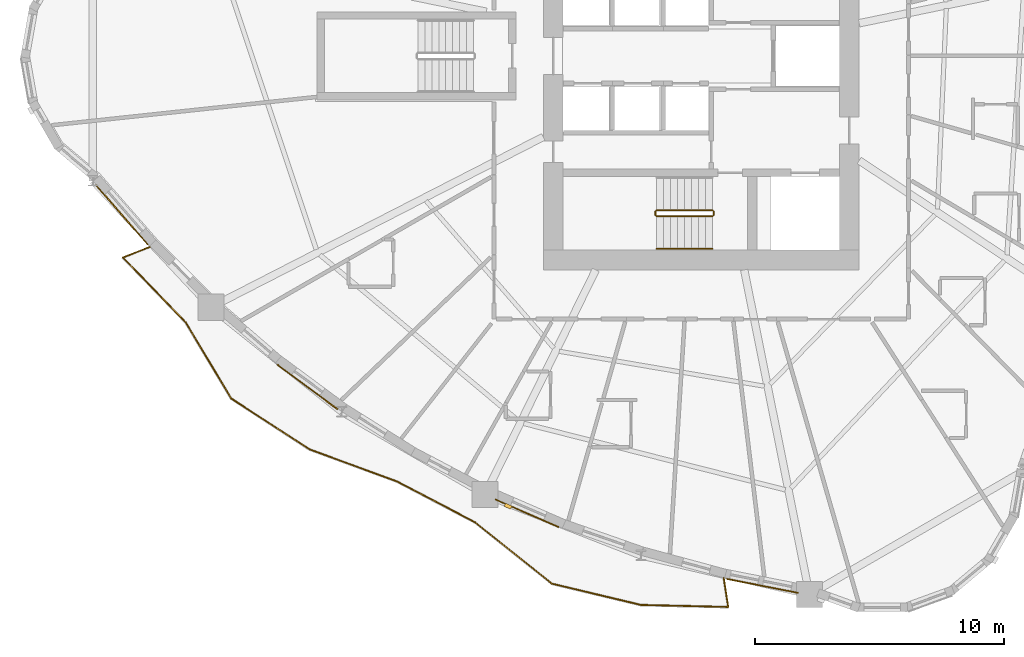
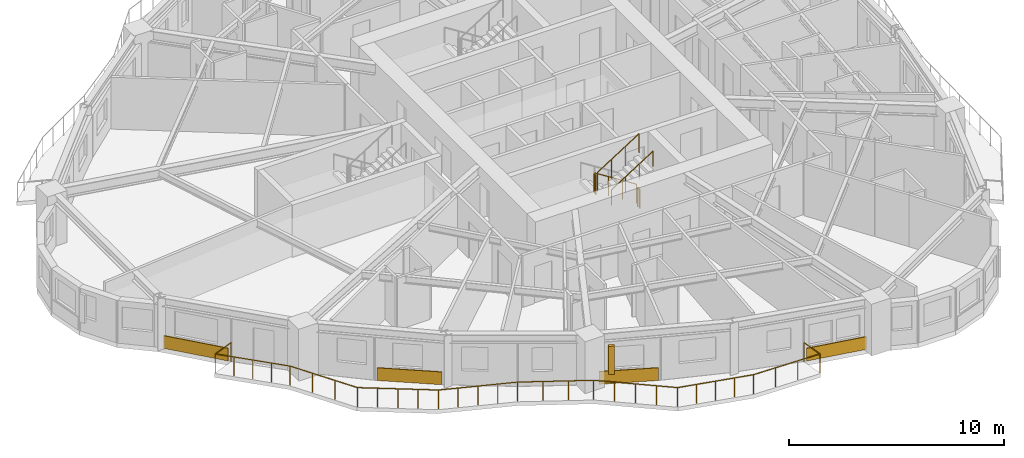
# One storey, part 11 of 14: 6 railings, 4 coverings, 1 shading device.
"""IFC4 building model written with IfcOpenShell, lengths in metres."""

from ifc_helpers import new_model, si_unit, direction, frame, origin, origin_2d, place, context, subcontext, project, spatial, rectangle, circle, extrude, source, transform, mapped, material, layer, layer_set, type_object, element, save


model = new_model("IFC4")

# Units and contexts
model_context = context("Model", 3, precision=1e-05, world=origin(), true_north=direction((0.0, 1.0)))
body_context = subcontext(model_context, "Body", "Model", "MODEL_VIEW")
ifc_project = project(units=[si_unit("LENGTHUNIT", "METRE"), si_unit("AREAUNIT", "SQUARE_METRE"), si_unit("VOLUMEUNIT", "CUBIC_METRE"), si_unit("PLANEANGLEUNIT", "RADIAN"), si_unit("MASSUNIT", "GRAM", prefix="KILO")], contexts=[model_context])

# Site, building, storey
site_placement = place(None, origin())
site = spatial("IfcSite", under=ifc_project, at=site_placement, CompositionType="ELEMENT")
building_placement = place(site_placement, origin())
building = spatial("IfcBuilding", under=site, at=building_placement, Name="Qafzar Sky-Pleat Residences", CompositionType="ELEMENT")
storey_placement = place(building_placement, frame((0.0, 0.0, 14.199951171875)))
storey = spatial("IfcBuildingStorey", under=building, at=storey_placement, Name="L03", CompositionType="ELEMENT", Elevation=14.199951171875)

# Railing
ifc_material_1 = material(Name="Laminated glass and bronze steel balustrade", Category="steel")
railing_type_1 = type_object("IfcRailingType", Name="RAIL-BAL-1100", PredefinedType="BALUSTRADE", material=ifc_material_1)
shared_shape_1 = source(origin(), body_context, "Body", "SweptSolid", [
    extrude(circle(Radius=0.02392578125, at=origin_2d()), frame((0.0, 0.0, 1.076171875), z_axis=(-0.932396945822, -0.361435935433, 0.0), x_axis=(0.361435935433, -0.932396945822, 0.0)), (0.0, 0.0, 1.0), 1.177978515625),
    extrude(circle(Radius=0.02392578125, at=origin_2d()), frame((-1.098388671875, -0.42578125, 1.076171875), z_axis=(0.696193259118, -0.717854404429, 0.0), x_axis=(0.717854404429, 0.696193259118, 0.0)), (0.0, 0.0, 1.0), 3.617919921875),
    extrude(circle(Radius=0.02392578125, at=origin_2d()), frame((1.42041015625, -3.02294921875, 1.076171875), z_axis=(0.513402147312, -0.858148142884, 0.0), x_axis=(0.858148142884, 0.513402147312, 0.0)), (0.0, 0.0, 1.0), 3.579833984375),
    extrude(circle(Radius=0.02392578125, at=origin_2d()), frame((3.25830078125, -6.094970703125, 1.076171875), z_axis=(0.838915696155, -0.54426138458, 0.0), x_axis=(0.54426138458, 0.838915696155, 0.0)), (0.0, 0.0, 1.0), 3.7666015625),
    extrude(circle(Radius=0.02392578125, at=origin_2d()), frame((6.418212890625, -8.14501953125, 1.076171875), z_axis=(0.939112047286, -0.343611063038, 0.0), x_axis=(0.343611063038, 0.939112047286, 0.0)), (0.0, 0.0, 1.0), 3.734375),
    extrude(circle(Radius=0.02392578125, at=origin_2d()), frame((9.92529296875, -9.42822265625, 1.076171875), z_axis=(0.885811284561, -0.464045653082, 0.0), x_axis=(0.464045653082, 0.885811284561, 0.0)), (0.0, 0.0, 1.0), 3.539794921875),
    extrude(circle(Radius=0.02392578125, at=origin_2d()), frame((13.060791015625, -11.07080078125, 1.076171875), z_axis=(0.781266830032, -0.624197196639, 0.0), x_axis=(0.624197196639, 0.781266830032, 0.0)), (0.0, 0.0, 1.0), 3.947998046875),
    extrude(circle(Radius=0.02392578125, at=origin_2d()), frame((16.145263671875, -13.53515625, 1.076171875), z_axis=(0.972537745746, -0.232745210689, 0.0), x_axis=(0.232745210689, 0.972537745746, 0.0)), (0.0, 0.0, 1.0), 3.677734375),
    extrude(circle(Radius=0.02392578125, at=origin_2d()), frame((19.721923828125, -14.39111328125, 1.076171875), z_axis=(0.999723990131, -0.023493479014, 0.0), x_axis=(0.023493479014, 0.999723990131, 0.0)), (0.0, 0.0, 1.0), 3.512451171875),
    extrude(circle(Radius=0.02392578125, at=origin_2d()), frame((23.2333984375, -14.4736328125, 1.076171875), z_axis=(-0.153162858633, 0.988200960704, 0.0), x_axis=(-0.988200960704, -0.153162858633, 0.0)), (0.0, 0.0, 1.0), 1.177978515625),
    extrude(circle(Radius=0.02099609375, at=origin_2d()), origin(), (0.0, 0.0, 1.0), 1.052001953125),
    extrude(circle(Radius=0.02099609375, at=origin_2d()), frame((-1.098388671875, -0.42578125, 0.0)), (0.0, 0.0, 1.0), 1.052001953125),
    extrude(circle(Radius=0.02099609375, at=origin_2d()), frame((-0.46875, -1.0751953125, 0.0)), (0.0, 0.0, 1.0), 1.052001953125),
    extrude(circle(Radius=0.02099609375, at=origin_2d()), frame((0.1611328125, -1.724365234375, 0.0)), (0.0, 0.0, 1.0), 1.052001953125),
    extrude(circle(Radius=0.02099609375, at=origin_2d()), frame((0.790771484375, -2.37353515625, 0.0)), (0.0, 0.0, 1.0), 1.052001953125),
    extrude(circle(Radius=0.02099609375, at=origin_2d()), frame((1.42041015625, -3.02294921875, 0.0)), (0.0, 0.0, 1.0), 1.052001953125),
    extrude(circle(Radius=0.02099609375, at=origin_2d()), frame((2.032958984375, -4.046875, 0.0)), (0.0, 0.0, 1.0), 1.052001953125),
    extrude(circle(Radius=0.02099609375, at=origin_2d()), frame((2.645751953125, -5.071044921875, 0.0)), (0.0, 0.0, 1.0), 1.052001953125),
    extrude(circle(Radius=0.02099609375, at=origin_2d()), frame((3.25830078125, -6.094970703125, 0.0)), (0.0, 0.0, 1.0), 1.052001953125),
    extrude(circle(Radius=0.02099609375, at=origin_2d()), frame((4.04833984375, -6.607421875, 0.0)), (0.0, 0.0, 1.0), 1.052001953125),
    extrude(circle(Radius=0.02099609375, at=origin_2d()), frame((4.83837890625, -7.1201171875, 0.0)), (0.0, 0.0, 1.0), 1.052001953125),
    extrude(circle(Radius=0.02099609375, at=origin_2d()), frame((5.628173828125, -7.632568359375, 0.0)), (0.0, 0.0, 1.0), 1.052001953125),
    extrude(circle(Radius=0.02099609375, at=origin_2d()), frame((6.418212890625, -8.14501953125, 0.0)), (0.0, 0.0, 1.0), 1.052001953125),
    extrude(circle(Radius=0.02099609375, at=origin_2d()), frame((7.294921875, -8.4658203125, 0.0)), (0.0, 0.0, 1.0), 1.052001953125),
    extrude(circle(Radius=0.02099609375, at=origin_2d()), frame((8.171875, -8.78662109375, 0.0)), (0.0, 0.0, 1.0), 1.052001953125),
    extrude(circle(Radius=0.02099609375, at=origin_2d()), frame((9.048583984375, -9.107421875, 0.0)), (0.0, 0.0, 1.0), 1.052001953125),
    extrude(circle(Radius=0.02099609375, at=origin_2d()), frame((9.92529296875, -9.42822265625, 0.0)), (0.0, 0.0, 1.0), 1.052001953125),
    extrude(circle(Radius=0.02099609375, at=origin_2d()), frame((10.970458984375, -9.975830078125, 0.0)), (0.0, 0.0, 1.0), 1.052001953125),
    extrude(circle(Radius=0.02099609375, at=origin_2d()), frame((12.015625, -10.523193359375, 0.0)), (0.0, 0.0, 1.0), 1.052001953125),
    extrude(circle(Radius=0.02099609375, at=origin_2d()), frame((13.060791015625, -11.07080078125, 0.0)), (0.0, 0.0, 1.0), 1.052001953125),
    extrude(circle(Radius=0.02099609375, at=origin_2d()), frame((13.83203125, -11.68701171875, 0.0)), (0.0, 0.0, 1.0), 1.052001953125),
    extrude(circle(Radius=0.02099609375, at=origin_2d()), frame((14.60302734375, -12.302978515625, 0.0)), (0.0, 0.0, 1.0), 1.052001953125),
    extrude(circle(Radius=0.02099609375, at=origin_2d()), frame((15.3740234375, -12.9189453125, 0.0)), (0.0, 0.0, 1.0), 1.052001953125),
    extrude(circle(Radius=0.02099609375, at=origin_2d()), frame((16.145263671875, -13.53515625, 0.0)), (0.0, 0.0, 1.0), 1.052001953125),
    extrude(circle(Radius=0.02099609375, at=origin_2d()), frame((17.03955078125, -13.7490234375, 0.0)), (0.0, 0.0, 1.0), 1.052001953125),
    extrude(circle(Radius=0.02099609375, at=origin_2d()), frame((17.93359375, -13.963134765625, 0.0)), (0.0, 0.0, 1.0), 1.052001953125),
    extrude(circle(Radius=0.02099609375, at=origin_2d()), frame((18.82763671875, -14.17724609375, 0.0)), (0.0, 0.0, 1.0), 1.052001953125),
    extrude(circle(Radius=0.02099609375, at=origin_2d()), frame((19.721923828125, -14.39111328125, 0.0)), (0.0, 0.0, 1.0), 1.052001953125),
    extrude(circle(Radius=0.02099609375, at=origin_2d()), frame((20.892333984375, -14.418701171875, 0.0)), (0.0, 0.0, 1.0), 1.052001953125),
    extrude(circle(Radius=0.02099609375, at=origin_2d()), frame((22.06298828125, -14.446044921875, 0.0)), (0.0, 0.0, 1.0), 1.052001953125),
    extrude(circle(Radius=0.02099609375, at=origin_2d()), frame((23.2333984375, -14.4736328125, 0.0)), (0.0, 0.0, 1.0), 1.052001953125),
    extrude(circle(Radius=0.02099609375, at=origin_2d()), frame((23.052978515625, -13.3095703125, 0.0)), (0.0, 0.0, 1.0), 1.052001953125),
])
railing_1_placement = place(storey_placement, frame((8.2001953125, 18.324951171875, 0.0)))
element("IfcRailing", 1, at=railing_1_placement, inside=storey, type_object=railing_type_1, Name="L03 Pleated Balcony 3 Balustrade", PredefinedType="BALUSTRADE", context=body_context, shape_type="MappedRepresentation", body=[
    mapped(shared_shape_1, transform((0.0, 0.0, 0.0), x_axis=(1.0, 0.0, 0.0), y_axis=(0.0, 1.0, 0.0), z_axis=(0.0, 0.0, 1.0), scale=1.0)),
])

# Shading device
ifc_material_2 = material(Name="Honed Riyadh limestone solar fin", Category="masonry")
ifc_layer_1 = layer(ifc_material_2, 0.139892578125)
ifc_layer_set_1 = layer_set([ifc_layer_1], Name="Honed Riyadh limestone solar fin")
shading_device_type = type_object("IfcShadingDeviceType", Name="SHD-FIN-STONE", PredefinedType="SHUTTER", material=ifc_layer_set_1)
shared_shape_2 = source(origin(), body_context, "Body", "SweptSolid", [
    extrude(rectangle(XDim=0.139892578125, YDim=0.280029296875, at=origin_2d()), origin(), (0.0, 0.0, 1.0), 1.60009765625),
])
shading_device_placement = place(storey_placement, frame((22.584716796875, 7.902587890625, 0.60009765625), z_axis=(0.0, 0.0, 1.0), x_axis=(-0.398709724071, -0.917077181011, 0.0)))
element("IfcShadingDevice", 2, at=shading_device_placement, inside=storey, type_object=shading_device_type, Name="L03 Limestone Solar Fin 13", PredefinedType="SHUTTER", context=body_context, shape_type="MappedRepresentation", body=[
    mapped(shared_shape_2, transform((0.0, 0.0, 0.0), x_axis=(1.0, 0.0, 0.0), y_axis=(0.0, 1.0, 0.0), z_axis=(0.0, 0.0, 1.0), scale=1.0)),
])

# Coverings
ifc_material_3 = material(Name="Honed Riyadh Tuwaiq limestone cladding", Category="masonry")
ifc_layer_2 = layer(ifc_material_3, 0.044921875)
ifc_layer_set_2 = layer_set([ifc_layer_2], Name="Honed Riyadh Tuwaiq limestone cladding")
covering_type = type_object("IfcCoveringType", Name="COV-CLAD-STONE", PredefinedType="CLADDING", material=ifc_layer_set_2)
shared_shape_3 = source(origin(), body_context, "Body", "SweptSolid", [
    extrude(rectangle(XDim=3.179443359375, YDim=0.044921875, at=origin_2d()), origin(), (0.0, 0.0, 1.0), 0.719970703125),
])
covering_1_placement = place(storey_placement, frame((7.05810546875, 19.616943359375, 0.02001953125), z_axis=(0.0, 0.0, 1.0), x_axis=(0.657616339803, -0.753353004656, 0.0)))
element("IfcCovering", 3, at=covering_1_placement, inside=storey, type_object=covering_type, Name="L03 Riyadh Limestone Spandrel Cladding 7", PredefinedType="CLADDING", context=body_context, shape_type="MappedRepresentation", body=[
    mapped(shared_shape_3, transform((0.0, 0.0, 0.0), x_axis=(1.0, 0.0, 0.0), y_axis=(0.0, 1.0, 0.0), z_axis=(0.0, 0.0, 1.0), scale=1.0)),
])
shared_shape_4 = source(origin(), body_context, "Body", "SweptSolid", [
    extrude(rectangle(XDim=3.028564453125, YDim=0.044921875, at=origin_2d()), origin(), (0.0, 0.0, 1.0), 0.719970703125),
])
covering_2_placement = place(storey_placement, frame((14.52197265625, 12.694580078125, 0.02001953125), z_axis=(0.0, 0.0, 1.0), x_axis=(0.803817173959, -0.594876416451, 0.0)))
element("IfcCovering", 4, at=covering_2_placement, inside=storey, type_object=covering_type, Name="L03 Riyadh Limestone Spandrel Cladding 10", PredefinedType="CLADDING", context=body_context, shape_type="MappedRepresentation", body=[
    mapped(shared_shape_4, transform((0.0, 0.0, 0.0), x_axis=(1.0, 0.0, 0.0), y_axis=(0.0, 1.0, 0.0), z_axis=(0.0, 0.0, 1.0), scale=1.0)),
])
shared_shape_5 = source(origin(), body_context, "Body", "SweptSolid", [
    extrude(rectangle(XDim=2.776611328125, YDim=0.044921875, at=origin_2d()), origin(), (0.0, 0.0, 1.0), 0.719970703125),
])
covering_3_placement = place(storey_placement, frame((23.344482421875, 7.619140625, 0.02001953125), z_axis=(0.0, 0.0, 1.0), x_axis=(0.917068510251, -0.398729667201, 0.0)))
element("IfcCovering", 5, at=covering_3_placement, inside=storey, type_object=covering_type, Name="L03 Riyadh Limestone Spandrel Cladding 13", PredefinedType="CLADDING", context=body_context, shape_type="MappedRepresentation", body=[
    mapped(shared_shape_5, transform((0.0, 0.0, 0.0), x_axis=(1.0, 0.0, 0.0), y_axis=(0.0, 1.0, 0.0), z_axis=(0.0, 0.0, 1.0), scale=1.0)),
])
shared_shape_6 = source(origin(), body_context, "Body", "SweptSolid", [
    extrude(rectangle(XDim=2.927490234375, YDim=0.044921875, at=origin_2d()), origin(), (0.0, 0.0, 1.0), 0.719970703125),
])
covering_4_placement = place(storey_placement, frame((32.8056640625, 4.69921875, 0.02001953125), z_axis=(0.0, 0.0, 1.0), x_axis=(0.981232618994, -0.192827766212, 0.0)))
element("IfcCovering", 6, at=covering_4_placement, inside=storey, type_object=covering_type, Name="L03 Riyadh Limestone Spandrel Cladding 16", PredefinedType="CLADDING", context=body_context, shape_type="MappedRepresentation", body=[
    mapped(shared_shape_6, transform((0.0, 0.0, 0.0), x_axis=(1.0, 0.0, 0.0), y_axis=(0.0, 1.0, 0.0), z_axis=(0.0, 0.0, 1.0), scale=1.0)),
])

# Railings
ifc_material_4 = material(Name="Painted Steel S355 stair guardrail", Category="steel")
railing_type_2 = type_object("IfcRailingType", Name="RAIL-STAIR-GUARD", PredefinedType="GUARDRAIL", material=ifc_material_4)
shared_shape_7 = source(origin(), body_context, "Body", "SweptSolid", [
    extrude(circle(Radius=0.02392578125, at=origin_2d()), frame((0.0, 0.0, 1.076171875), z_axis=(0.0, -1.0, 0.0), x_axis=(1.0, 0.0, 0.0)), (0.0, 0.0, 1.0), 0.14990234375),
    extrude(circle(Radius=0.02099609375, at=origin_2d()), origin(), (0.0, 0.0, 1.0), 1.052001953125),
    extrude(circle(Radius=0.02099609375, at=origin_2d()), frame((0.0, -0.14990234375, 0.0)), (0.0, 0.0, 1.0), 1.052001953125),
])
for number, where, name in (
    (7, (28.510009765625, 19.75, 1.60009765625), "L03 ST1 stair guard 2"),
    (8, (30.85009765625, 19.75, 0.0), "L03 ST1 stair guard 4"),
):
    element("IfcRailing", number, at=place(storey_placement, frame(where)), inside=storey, type_object=railing_type_2, Name=name, PredefinedType="GUARDRAIL", context=body_context, shape_type="MappedRepresentation", body=[
        mapped(shared_shape_7, transform((0.0, 0.0, 0.0), x_axis=(1.0, 0.0, 0.0), y_axis=(0.0, 1.0, 0.0), z_axis=(0.0, 0.0, 1.0), scale=1.0)),
    ])
shared_shape_8 = source(origin(), body_context, "Body", "SweptSolid", [
    extrude(circle(Radius=0.02392578125, at=origin_2d()), frame((0.0, 0.0, 1.076171875), z_axis=(0.8442293374, 0.0, 0.53598211339), x_axis=(0.0, 1.0, 0.0)), (0.0, 0.0, 1.0), 2.6533203125),
    extrude(circle(Radius=0.02099609375, at=origin_2d()), origin(), (0.0, 0.0, 1.0), 1.052001953125),
    extrude(circle(Radius=0.02099609375, at=origin_2d()), frame((0.74658203125, 0.0, 0.47412109375)), (0.0, 0.0, 1.0), 1.052001953125),
    extrude(circle(Radius=0.02099609375, at=origin_2d()), frame((1.493408203125, 0.0, 0.947998046875)), (0.0, 0.0, 1.0), 1.052001953125),
    extrude(circle(Radius=0.02099609375, at=origin_2d()), frame((2.239990234375, 0.0, 1.422119140625)), (0.0, 0.0, 1.0), 1.052001953125),
])
railing_2_placement = place(storey_placement, frame((28.56005859375, 19.550048828125, 1.77783203125)))
element("IfcRailing", 9, at=railing_2_placement, inside=storey, type_object=railing_type_2, Name="L03 ST1 stair guard 3", PredefinedType="GUARDRAIL", context=body_context, shape_type="MappedRepresentation", body=[
    mapped(shared_shape_8, transform((0.0, 0.0, 0.0), x_axis=(1.0, 0.0, 0.0), y_axis=(0.0, 1.0, 0.0), z_axis=(0.0, 0.0, 1.0), scale=1.0)),
])
ifc_material_5 = material(Name="Brushed stainless steel handrail", Category="steel")
railing_type_3 = type_object("IfcRailingType", Name="RAIL-STAIR-HAND", PredefinedType="HANDRAIL", material=ifc_material_5)
shared_shape_9 = source(origin(), body_context, "Body", "SweptSolid", [
    extrude(circle(Radius=0.02392578125, at=origin_2d()), frame((0.0, 0.0, 0.8759765625), z_axis=(0.8442293374, 0.0, 0.53598211339), x_axis=(0.0, 1.0, 0.0)), (0.0, 0.0, 1.0), 2.6533203125),
    extrude(circle(Radius=0.02099609375, at=origin_2d()), origin(), (0.0, 0.0, 1.0), 0.851806640625),
    extrude(circle(Radius=0.02099609375, at=origin_2d()), frame((0.74658203125, 0.0, 0.47412109375)), (0.0, 0.0, 1.0), 0.851806640625),
    extrude(circle(Radius=0.02099609375, at=origin_2d()), frame((1.493408203125, 0.0, 0.947998046875)), (0.0, 0.0, 1.0), 0.851806640625),
    extrude(circle(Radius=0.02099609375, at=origin_2d()), frame((2.239990234375, 0.0, 1.422119140625)), (0.0, 0.0, 1.0), 0.851806640625),
])
railing_3_placement = place(storey_placement, frame((28.56005859375, 18.25, 1.77783203125)))
element("IfcRailing", 10, at=railing_3_placement, inside=storey, type_object=railing_type_3, Name="L03 ST1 stair handrail 2", PredefinedType="HANDRAIL", context=body_context, shape_type="MappedRepresentation", body=[
    mapped(shared_shape_9, transform((0.0, 0.0, 0.0), x_axis=(1.0, 0.0, 0.0), y_axis=(0.0, 1.0, 0.0), z_axis=(0.0, 0.0, 1.0), scale=1.0)),
])
shared_shape_10 = source(origin(), body_context, "Body", "SweptSolid", [
    extrude(circle(Radius=0.02392578125, at=origin_2d()), frame((0.0, 0.0, 1.076171875), z_axis=(-0.84418770128, 0.0, 0.536047689118), x_axis=(0.0, -1.0, 0.0)), (0.0, 0.0, 1.0), 2.6533203125),
    extrude(circle(Radius=0.02099609375, at=origin_2d()), origin(), (0.0, 0.0, 1.0), 1.052001953125),
    extrude(circle(Radius=0.02099609375, at=origin_2d()), frame((-0.74658203125, 0.0, 0.47412109375)), (0.0, 0.0, 1.0), 1.052001953125),
    extrude(circle(Radius=0.02099609375, at=origin_2d()), frame((-1.493408203125, 0.0, 0.9482421875)), (0.0, 0.0, 1.0), 1.052001953125),
    extrude(circle(Radius=0.02099609375, at=origin_2d()), frame((-2.239990234375, 0.0, 1.42236328125)), (0.0, 0.0, 1.0), 1.052001953125),
])
railing_4_placement = place(storey_placement, frame((30.800048828125, 19.800048828125, 0.177734375)))
element("IfcRailing", 11, at=railing_4_placement, inside=storey, type_object=railing_type_2, Name="L03 ST1 stair guard 1", PredefinedType="GUARDRAIL", context=body_context, shape_type="MappedRepresentation", body=[
    mapped(shared_shape_10, transform((0.0, 0.0, 0.0), x_axis=(1.0, 0.0, 0.0), y_axis=(0.0, 1.0, 0.0), z_axis=(0.0, 0.0, 1.0), scale=1.0)),
])

save(model, "model.ifc")
